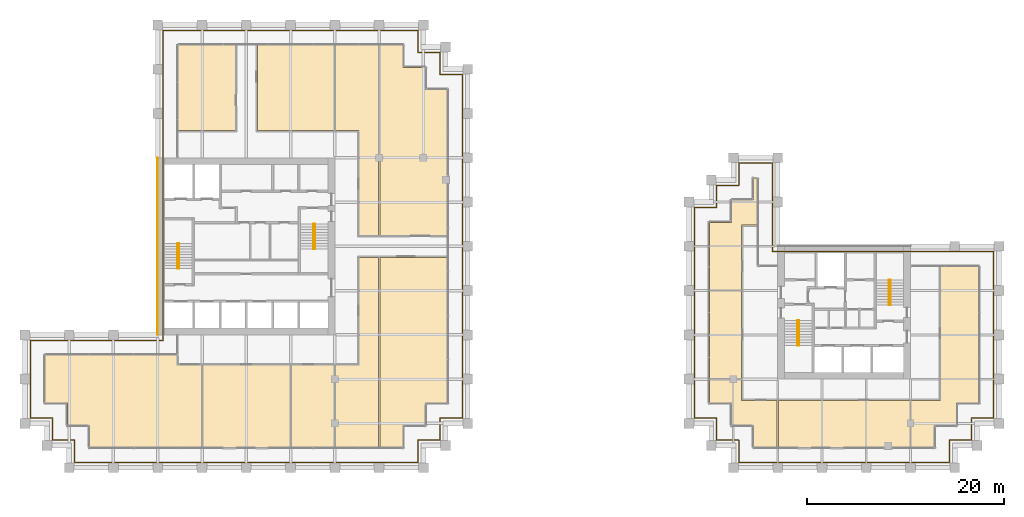
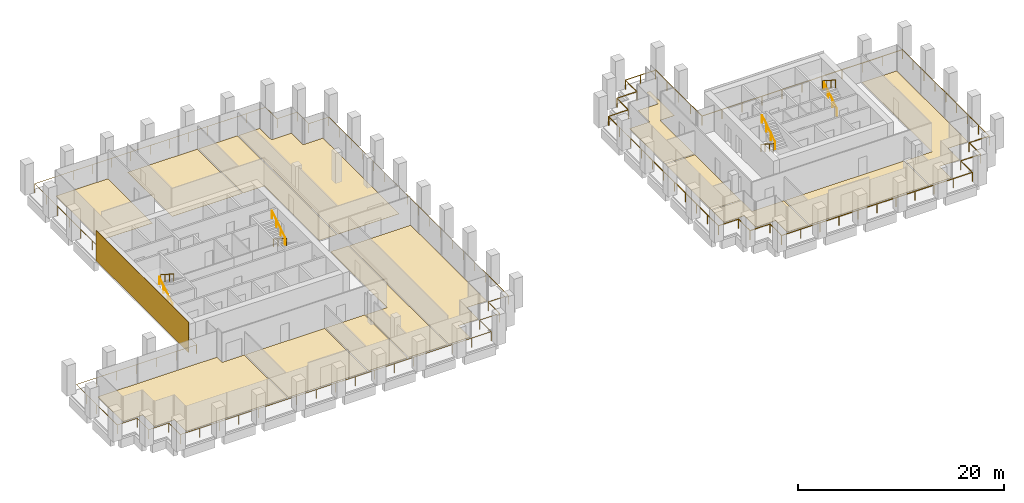
# One storey, part 45 of 46: 15 coverings, 10 railings.
"""IFC4 building model written with IfcOpenShell, lengths in metres."""

from ifc_helpers import new_model, si_unit, direction, frame, origin, origin_2d, place, context, subcontext, project, spatial, polyline, rectangle, circle, outline, extrude, source, transform, mapped, material, layer, layer_set, type_object, element, save


model = new_model("IFC4")

# Units and contexts
model_context = context("Model", 3, precision=1e-05, world=origin(), true_north=direction((0.0, 1.0)))
body_context = subcontext(model_context, "Body", "Model", "MODEL_VIEW")
ifc_project = project(units=[si_unit("LENGTHUNIT", "METRE"), si_unit("AREAUNIT", "SQUARE_METRE"), si_unit("VOLUMEUNIT", "CUBIC_METRE"), si_unit("PLANEANGLEUNIT", "RADIAN"), si_unit("MASSUNIT", "GRAM", prefix="KILO")], contexts=[model_context])

# Site, building, storey
site_placement = place(None, origin())
site = spatial("IfcSite", under=ifc_project, at=site_placement, CompositionType="ELEMENT")
building_placement = place(site_placement, origin())
building = spatial("IfcBuilding", under=site, at=building_placement, Name="Altepetl Exchange Towers", CompositionType="ELEMENT")
storey_placement = place(building_placement, frame((0.0, 0.0, 106.39990234375)))
storey = spatial("IfcBuildingStorey", under=building, at=storey_placement, Name="L26", CompositionType="ELEMENT", Elevation=106.39990234375)

# Coverings
ifc_material_1 = material(Name="Carpet tile")
ifc_layer_1 = layer(ifc_material_1, 0.02001953125)
ifc_layer_set_1 = layer_set([ifc_layer_1], Name="Carpet tile")
covering_type_1 = type_object("IfcCoveringType", Name="Carpet tile floor", PredefinedType="FLOORING", material=ifc_layer_set_1)
covering_1_placement = place(storey_placement, origin())
element("IfcCovering", 1, at=covering_1_placement, inside=storey, type_object=covering_type_1, Name="Training room floor finish A26.01", PredefinedType="FLOORING", context=body_context, shape_type="SweptSolid", body=[
    extrude(outline(polyline([(53.9375, 29.0625), (53.9375, 37.4375), (45.0625, 37.4375), (45.0625, 29.0625), (53.9375, 29.0625)])), origin(), (0.0, 0.0, 1.0), 0.02001953125),
])
covering_2_placement = place(storey_placement, origin())
element("IfcCovering", 2, at=covering_2_placement, inside=storey, type_object=covering_type_1, Name="Open office floor finish A26.03", PredefinedType="FLOORING", context=body_context, shape_type="SweptSolid", body=[
    extrude(outline(polyline([(33.5625, 29.0625), (44.9375, 29.0625), (44.9375, 37.4375), (42.4375, 37.4375), (42.4375, 38.4375), (29.0625, 38.4375), (29.0625, 33.5625), (31.3125, 33.5625), (31.3125, 31.3125), (33.5625, 31.3125), (33.5625, 29.0625)])), origin(), (0.0, 0.0, 1.0), 0.02001953125),
])
covering_3_placement = place(storey_placement, origin())
element("IfcCovering", 3, at=covering_3_placement, inside=storey, type_object=covering_type_1, Name="Research office floor finish A26.05", PredefinedType="FLOORING", context=body_context, shape_type="SweptSolid", body=[
    extrude(outline(polyline([(67.6875, 33.5625), (69.9375, 33.5625), (69.9375, 48.387451171875), (63.0625, 48.387451171875), (63.0625, 29.0625), (65.4375, 29.0625), (65.4375, 31.3125), (67.6875, 31.3125), (67.6875, 33.5625)])), origin(), (0.0, 0.0, 1.0), 0.02001953125),
])
covering_4_placement = place(storey_placement, origin())
element("IfcCovering", 4, at=covering_4_placement, inside=storey, type_object=covering_type_1, Name="Huddle room floor finish A26.07", PredefinedType="FLOORING", context=body_context, shape_type="SweptSolid", body=[
    extrude(outline(polyline([(62.9375, 50.612548828125), (62.9375, 69.9375), (58.5625, 69.9375), (58.5625, 61.262451171875), (60.96240234375, 61.262451171875), (60.96240234375, 50.612548828125), (62.9375, 50.612548828125)])), origin(), (0.0, 0.0, 1.0), 0.02001953125),
])
covering_5_placement = place(storey_placement, origin())
element("IfcCovering", 5, at=covering_5_placement, inside=storey, type_object=covering_type_1, Name="Pantry floor finish A26.08", PredefinedType="FLOORING", context=body_context, shape_type="SweptSolid", body=[
    extrude(outline(polyline([(42.5625, 61.262451171875), (48.387451171875, 61.262451171875), (48.387451171875, 69.9375), (42.5625, 69.9375), (42.5625, 61.262451171875)])), origin(), (0.0, 0.0, 1.0), 0.02001953125),
])
covering_6_placement = place(storey_placement, origin())
element("IfcCovering", 6, at=covering_6_placement, inside=storey, type_object=covering_type_1, Name="Meeting room floor finish A26.09", PredefinedType="FLOORING", context=body_context, shape_type="SweptSolid", body=[
    extrude(outline(polyline([(58.4375, 61.262451171875), (58.4375, 69.9375), (50.612548828125, 69.9375), (50.612548828125, 61.262451171875), (58.4375, 61.262451171875)])), origin(), (0.0, 0.0, 1.0), 0.02001953125),
])
covering_7_placement = place(storey_placement, origin())
element("IfcCovering", 7, at=covering_7_placement, inside=storey, type_object=covering_type_1, Name="Huddle room floor finish B26.01", PredefinedType="FLOORING", context=body_context, shape_type="SweptSolid", body=[
    extrude(outline(polyline([(99.83740234375, 44.9375), (96.5625, 44.9375), (96.5625, 36.0625), (99.83740234375, 36.0625), (99.83740234375, 44.9375)])), origin(), (0.0, 0.0, 1.0), 0.02001953125),
])
covering_8_placement = place(storey_placement, origin())
element("IfcCovering", 8, at=covering_8_placement, inside=storey, type_object=covering_type_1, Name="Research office floor finish B26.04", PredefinedType="FLOORING", context=body_context, shape_type="SweptSolid", body=[
    extrude(outline(polyline([(117.0625, 33.83740234375), (117.0625, 29.0625), (119.4375, 29.0625), (119.4375, 31.3125), (121.6875, 31.3125), (121.6875, 33.5625), (123.9375, 33.5625), (123.9375, 47.4375), (120.0625, 47.4375), (120.0625, 33.83740234375), (117.0625, 33.83740234375)])), origin(), (0.0, 0.0, 1.0), 0.02001953125),
])
covering_9_placement = place(storey_placement, origin())
element("IfcCovering", 9, at=covering_9_placement, inside=storey, type_object=covering_type_1, Name="Interview room floor finish B26.05", PredefinedType="FLOORING", context=body_context, shape_type="SweptSolid", body=[
    extrude(outline(polyline([(101.0625, 54.1875), (98.8125, 54.1875), (98.8125, 51.9375), (96.5625, 51.9375), (96.5625, 45.0625), (99.83740234375, 45.0625), (99.83740234375, 51.66259765625), (101.4375, 51.66259765625), (101.4375, 56.4375), (101.0625, 56.4375), (101.0625, 54.1875)])), origin(), (0.0, 0.0, 1.0), 0.02001953125),
])
ifc_material_2 = material(Name="Cantera stone", Category="masonry")
ifc_layer_2 = layer(ifc_material_2, 0.030029296875)
ifc_layer_set_2 = layer_set([ifc_layer_2], Name="Cantera stone")
covering_type_2 = type_object("IfcCoveringType", Name="Polished stone floor", PredefinedType="FLOORING", material=ifc_layer_set_2)
covering_10_placement = place(storey_placement, origin())
element("IfcCovering", 10, at=covering_10_placement, inside=storey, type_object=covering_type_2, Name="Cafe floor finish A26.06", PredefinedType="FLOORING", context=body_context, shape_type="SweptSolid", body=[
    extrude(outline(polyline([(67.6875, 67.6875), (65.4375, 67.6875), (65.4375, 69.9375), (63.0625, 69.9375), (63.0625, 50.612548828125), (69.9375, 50.612548828125), (69.9375, 65.4375), (67.6875, 65.4375), (67.6875, 67.6875)])), origin(), (0.0, 0.0, 1.0), 0.030029296875),
])
covering_11_placement = place(storey_placement, origin())
element("IfcCovering", 11, at=covering_11_placement, inside=storey, type_object=covering_type_2, Name="Library floor finish B26.03", PredefinedType="FLOORING", context=body_context, shape_type="SweptSolid", body=[
    extrude(outline(polyline([(103.5625, 33.83740234375), (103.5625, 29.0625), (116.9375, 29.0625), (116.9375, 33.83740234375), (103.5625, 33.83740234375)])), origin(), (0.0, 0.0, 1.0), 0.030029296875),
])
ifc_material_3 = material(Name="Calcium sulphate access floor panel")
ifc_layer_3 = layer(ifc_material_3, 0.0400390625)
ifc_layer_set_3 = layer_set([ifc_layer_3], Name="Calcium sulphate access floor panel")
covering_type_3 = type_object("IfcCoveringType", Name="Raised access floor panels", PredefinedType="FLOORING", material=ifc_layer_set_3)
covering_12_placement = place(storey_placement, origin())
element("IfcCovering", 12, at=covering_12_placement, inside=storey, type_object=covering_type_3, Name="Data room floor finish A26.02", PredefinedType="FLOORING", context=body_context, shape_type="SweptSolid", body=[
    extrude(outline(polyline([(58.4375, 29.0625), (58.4375, 37.4375), (54.0625, 37.4375), (54.0625, 29.0625), (58.4375, 29.0625)])), origin(), (0.0, 0.0, 1.0), 0.0400390625),
])
covering_13_placement = place(storey_placement, origin())
element("IfcCovering", 13, at=covering_13_placement, inside=storey, type_object=covering_type_3, Name="Data room floor finish A26.04", PredefinedType="FLOORING", context=body_context, shape_type="SweptSolid", body=[
    extrude(outline(polyline([(62.9375, 29.0625), (62.9375, 48.387451171875), (60.96240234375, 48.387451171875), (60.96240234375, 37.4375), (58.5625, 37.4375), (58.5625, 29.0625), (62.9375, 29.0625)])), origin(), (0.0, 0.0, 1.0), 0.0400390625),
])
covering_14_placement = place(storey_placement, origin())
element("IfcCovering", 14, at=covering_14_placement, inside=storey, type_object=covering_type_3, Name="Data room floor finish B26.02", PredefinedType="FLOORING", context=body_context, shape_type="SweptSolid", body=[
    extrude(outline(polyline([(99.83740234375, 35.9375), (96.5625, 35.9375), (96.5625, 33.5625), (98.8125, 33.5625), (98.8125, 31.3125), (101.0625, 31.3125), (101.0625, 29.0625), (103.4375, 29.0625), (103.4375, 33.83740234375), (99.83740234375, 33.83740234375), (99.83740234375, 35.9375)])), origin(), (0.0, 0.0, 1.0), 0.0400390625),
])
ifc_material_4 = material(Name="Cantera limestone cladding", Category="masonry")
ifc_layer_4 = layer(ifc_material_4, 0.0400390625)
ifc_layer_set_4 = layer_set([ifc_layer_4], Name="Cantera limestone cladding")
covering_type_4 = type_object("IfcCoveringType", Name="Stone panel 40 cantera", PredefinedType="CLADDING", material=ifc_layer_set_4)
covering_15_placement = place(storey_placement, frame((40.47998046875, 49.5, 0.0), z_axis=(0.0, 0.0, 1.0), x_axis=(0.0, -1.0, 0.0)))
element("IfcCovering", 15, at=covering_15_placement, inside=storey, type_object=covering_type_4, Name="Stone cladding panel", PredefinedType="CLADDING", context=body_context, shape_type="SweptSolid", body=[
    extrude(rectangle(XDim=18.0, YDim=0.0400390625, at=origin_2d()), origin(), (0.0, 0.0, 1.0), 3.60009765625),
])

# Railings
ifc_material_5 = material(Name="Steel S355", Category="steel")
railing_type_1 = type_object("IfcRailingType", Name="Guard 1100 steel posts and rail", PredefinedType="GUARDRAIL", material=ifc_material_5)
shared_shape_1 = source(origin(), body_context, "Body", "SweptSolid", [
    extrude(circle(Radius=0.02099609375, at=origin_2d()), origin(), (0.0, 0.0, 1.0), 1.052001953125),
])
railing_1_placement = place(storey_placement, frame((41.050048828125, 39.949951171875, 0.0)))
element("IfcRailing", 16, at=railing_1_placement, inside=storey, type_object=railing_type_1, Name="Loggia guard", PredefinedType="GUARDRAIL", context=body_context, shape_type="SweptSolid", body=[
    extrude(circle(Radius=0.02392578125, at=origin_2d()), frame((0.0, 0.0, 1.076171875), z_axis=(-1.0, 0.0, 0.0), x_axis=(0.0, -1.0, 0.0)), (0.0, 0.0, 1.0), 13.5),
    extrude(circle(Radius=0.02392578125, at=origin_2d()), frame((-13.5, 0.0, 1.076171875), z_axis=(0.0, -1.0, 0.0), x_axis=(1.0, 0.0, 0.0)), (0.0, 0.0, 1.0), 7.89990234375),
    extrude(circle(Radius=0.02392578125, at=origin_2d()), frame((-13.5, -7.89990234375, 1.076171875), z_axis=(1.0, 0.0, 0.0), x_axis=(0.0, 1.0, 0.0)), (0.0, 0.0, 1.0), 2.25),
    extrude(circle(Radius=0.02392578125, at=origin_2d()), frame((-11.25, -7.89990234375, 1.076171875), z_axis=(0.0, -1.0, 0.0), x_axis=(1.0, 0.0, 0.0)), (0.0, 0.0, 1.0), 2.25),
    extrude(circle(Radius=0.02392578125, at=origin_2d()), frame((-11.25, -10.14990234375, 1.076171875), z_axis=(1.0, 0.0, 0.0), x_axis=(0.0, 1.0, 0.0)), (0.0, 0.0, 1.0), 2.25),
    extrude(circle(Radius=0.02392578125, at=origin_2d()), frame((-9.0, -10.14990234375, 1.076171875), z_axis=(0.0, -1.0, 0.0), x_axis=(1.0, 0.0, 0.0)), (0.0, 0.0, 1.0), 2.25),
    extrude(circle(Radius=0.02392578125, at=origin_2d()), frame((-9.0, -12.39990234375, 1.076171875), z_axis=(1.0, 0.0, 0.0), x_axis=(0.0, 1.0, 0.0)), (0.0, 0.0, 1.0), 34.89990234375),
    extrude(circle(Radius=0.02392578125, at=origin_2d()), frame((25.89990234375, -12.39990234375, 1.076171875), z_axis=(0.0, 1.0, 0.0), x_axis=(-1.0, 0.0, 0.0)), (0.0, 0.0, 1.0), 2.25),
    extrude(circle(Radius=0.02392578125, at=origin_2d()), frame((25.89990234375, -10.14990234375, 1.076171875), z_axis=(1.0, 0.0, 0.0), x_axis=(0.0, 1.0, 0.0)), (0.0, 0.0, 1.0), 2.25),
    extrude(circle(Radius=0.02392578125, at=origin_2d()), frame((28.14990234375, -10.14990234375, 1.076171875), z_axis=(0.0, 1.0, 0.0), x_axis=(-1.0, 0.0, 0.0)), (0.0, 0.0, 1.0), 2.25),
    extrude(circle(Radius=0.02392578125, at=origin_2d()), frame((28.14990234375, -7.89990234375, 1.076171875), z_axis=(1.0, 0.0, 0.0), x_axis=(0.0, 1.0, 0.0)), (0.0, 0.0, 1.0), 2.25),
    extrude(circle(Radius=0.02392578125, at=origin_2d()), frame((30.39990234375, -7.89990234375, 1.076171875), z_axis=(0.0, 1.0, 0.0), x_axis=(-1.0, 0.0, 0.0)), (0.0, 0.0, 1.0), 34.89990234375),
    extrude(circle(Radius=0.02392578125, at=origin_2d()), frame((30.39990234375, 27.0, 1.076171875), z_axis=(-1.0, 0.0, 0.0), x_axis=(0.0, -1.0, 0.0)), (0.0, 0.0, 1.0), 2.25),
    extrude(circle(Radius=0.02392578125, at=origin_2d()), frame((28.14990234375, 27.0, 1.076171875), z_axis=(0.0, 1.0, 0.0), x_axis=(-1.0, 0.0, 0.0)), (0.0, 0.0, 1.0), 2.25),
    extrude(circle(Radius=0.02392578125, at=origin_2d()), frame((28.14990234375, 29.25, 1.076171875), z_axis=(-1.0, 0.0, 0.0), x_axis=(0.0, -1.0, 0.0)), (0.0, 0.0, 1.0), 2.25),
    extrude(circle(Radius=0.02392578125, at=origin_2d()), frame((25.89990234375, 29.25, 1.076171875), z_axis=(0.0, 1.0, 0.0), x_axis=(-1.0, 0.0, 0.0)), (0.0, 0.0, 1.0), 2.25),
    extrude(circle(Radius=0.02392578125, at=origin_2d()), frame((25.89990234375, 31.5, 1.076171875), z_axis=(-1.0, 0.0, 0.0), x_axis=(0.0, -1.0, 0.0)), (0.0, 0.0, 1.0), 25.89990234375),
    extrude(circle(Radius=0.02392578125, at=origin_2d()), frame((0.0, 31.5, 1.076171875), z_axis=(0.0, -1.0, 0.0), x_axis=(1.0, 0.0, 0.0)), (0.0, 0.0, 1.0), 31.39990234375),
    mapped(shared_shape_1, transform((0.0, 0.0, 0.0))),
    mapped(shared_shape_1, transform((-2.25, 0.0, 0.0))),
    mapped(shared_shape_1, transform((-4.5, 0.0, 0.0))),
    mapped(shared_shape_1, transform((-6.75, 0.0, 0.0))),
    mapped(shared_shape_1, transform((-9.0, 0.0, 0.0))),
    mapped(shared_shape_1, transform((-11.25, 0.0, 0.0))),
    mapped(shared_shape_1, transform((-13.5, 0.0, 0.0))),
    mapped(shared_shape_1, transform((-13.5, -1.97509765625, 0.0))),
    mapped(shared_shape_1, transform((-13.5, -3.949951171875, 0.0))),
    mapped(shared_shape_1, transform((-13.5, -5.9248046875, 0.0))),
    mapped(shared_shape_1, transform((-13.5, -7.89990234375, 0.0))),
    mapped(shared_shape_1, transform((-11.25, -7.89990234375, 0.0))),
    mapped(shared_shape_1, transform((-11.25, -10.14990234375, 0.0))),
    mapped(shared_shape_1, transform((-9.0, -10.14990234375, 0.0))),
    mapped(shared_shape_1, transform((-9.0, -12.39990234375, 0.0))),
    mapped(shared_shape_1, transform((-6.81884765625, -12.39990234375, 0.0))),
    mapped(shared_shape_1, transform((-4.637451171875, -12.39990234375, 0.0))),
    mapped(shared_shape_1, transform((-2.456298828125, -12.39990234375, 0.0))),
    mapped(shared_shape_1, transform((-0.27490234375, -12.39990234375, 0.0))),
    mapped(shared_shape_1, transform((1.90625, -12.39990234375, 0.0))),
    mapped(shared_shape_1, transform((4.08740234375, -12.39990234375, 0.0))),
    mapped(shared_shape_1, transform((6.268798828125, -12.39990234375, 0.0))),
    mapped(shared_shape_1, transform((8.449951171875, -12.39990234375, 0.0))),
    mapped(shared_shape_1, transform((10.631103515625, -12.39990234375, 0.0))),
    mapped(shared_shape_1, transform((12.8125, -12.39990234375, 0.0))),
    mapped(shared_shape_1, transform((14.99365234375, -12.39990234375, 0.0))),
    mapped(shared_shape_1, transform((17.1748046875, -12.39990234375, 0.0))),
    mapped(shared_shape_1, transform((19.356201171875, -12.39990234375, 0.0))),
    mapped(shared_shape_1, transform((21.537353515625, -12.39990234375, 0.0))),
    mapped(shared_shape_1, transform((23.71875, -12.39990234375, 0.0))),
    mapped(shared_shape_1, transform((25.89990234375, -12.39990234375, 0.0))),
    mapped(shared_shape_1, transform((25.89990234375, -10.14990234375, 0.0))),
    mapped(shared_shape_1, transform((28.14990234375, -10.14990234375, 0.0))),
    mapped(shared_shape_1, transform((28.14990234375, -7.89990234375, 0.0))),
    mapped(shared_shape_1, transform((30.39990234375, -7.89990234375, 0.0))),
    mapped(shared_shape_1, transform((30.39990234375, -5.71875, 0.0))),
    mapped(shared_shape_1, transform((30.39990234375, -3.537353515625, 0.0))),
    mapped(shared_shape_1, transform((30.39990234375, -1.356201171875, 0.0))),
    mapped(shared_shape_1, transform((30.39990234375, 0.8251953125, 0.0))),
    mapped(shared_shape_1, transform((30.39990234375, 3.00634765625, 0.0))),
    mapped(shared_shape_1, transform((30.39990234375, 5.1875, 0.0))),
    mapped(shared_shape_1, transform((30.39990234375, 7.368896484375, 0.0))),
    mapped(shared_shape_1, transform((30.39990234375, 9.550048828125, 0.0))),
    mapped(shared_shape_1, transform((30.39990234375, 11.731201171875, 0.0))),
    mapped(shared_shape_1, transform((30.39990234375, 13.91259765625, 0.0))),
    mapped(shared_shape_1, transform((30.39990234375, 16.09375, 0.0))),
    mapped(shared_shape_1, transform((30.39990234375, 18.27490234375, 0.0))),
    mapped(shared_shape_1, transform((30.39990234375, 20.456298828125, 0.0))),
    mapped(shared_shape_1, transform((30.39990234375, 22.637451171875, 0.0))),
    mapped(shared_shape_1, transform((30.39990234375, 24.81884765625, 0.0))),
    mapped(shared_shape_1, transform((30.39990234375, 27.0, 0.0))),
    mapped(shared_shape_1, transform((28.14990234375, 27.0, 0.0))),
    mapped(shared_shape_1, transform((28.14990234375, 29.25, 0.0))),
    mapped(shared_shape_1, transform((25.89990234375, 29.25, 0.0))),
    mapped(shared_shape_1, transform((25.89990234375, 31.5, 0.0))),
    mapped(shared_shape_1, transform((23.74169921875, 31.5, 0.0))),
    mapped(shared_shape_1, transform((21.583251953125, 31.5, 0.0))),
    mapped(shared_shape_1, transform((19.4248046875, 31.5, 0.0))),
    mapped(shared_shape_1, transform((17.2666015625, 31.5, 0.0))),
    mapped(shared_shape_1, transform((15.1083984375, 31.5, 0.0))),
    mapped(shared_shape_1, transform((12.949951171875, 31.5, 0.0))),
    mapped(shared_shape_1, transform((10.79150390625, 31.5, 0.0))),
    mapped(shared_shape_1, transform((8.63330078125, 31.5, 0.0))),
    mapped(shared_shape_1, transform((6.47509765625, 31.5, 0.0))),
    mapped(shared_shape_1, transform((4.316650390625, 31.5, 0.0))),
    mapped(shared_shape_1, transform((2.158203125, 31.5, 0.0))),
    mapped(shared_shape_1, transform((0.0, 31.5, 0.0))),
    mapped(shared_shape_1, transform((0.0, 29.257080078125, 0.0))),
    mapped(shared_shape_1, transform((0.0, 27.014404296875, 0.0))),
    mapped(shared_shape_1, transform((0.0, 24.771484375, 0.0))),
    mapped(shared_shape_1, transform((0.0, 22.528564453125, 0.0))),
    mapped(shared_shape_1, transform((0.0, 20.28564453125, 0.0))),
    mapped(shared_shape_1, transform((0.0, 18.04296875, 0.0))),
    mapped(shared_shape_1, transform((0.0, 15.800048828125, 0.0))),
    mapped(shared_shape_1, transform((0.0, 13.55712890625, 0.0))),
    mapped(shared_shape_1, transform((0.0, 11.314453125, 0.0))),
    mapped(shared_shape_1, transform((0.0, 9.071533203125, 0.0))),
    mapped(shared_shape_1, transform((0.0, 6.82861328125, 0.0))),
    mapped(shared_shape_1, transform((0.0, 4.585693359375, 0.0))),
    mapped(shared_shape_1, transform((0.0, 2.343017578125, 0.0))),
    mapped(shared_shape_1, transform((0.0, 0.10009765625, 0.0))),
])
railing_2_placement = place(storey_placement, frame((95.050048828125, 53.449951171875, 0.0)))
element("IfcRailing", 17, at=railing_2_placement, inside=storey, type_object=railing_type_1, Name="Loggia guard", PredefinedType="GUARDRAIL", context=body_context, shape_type="SweptSolid", body=[
    extrude(circle(Radius=0.02392578125, at=origin_2d()), frame((0.0, 0.0, 1.076171875), z_axis=(0.0, -1.0, 0.0), x_axis=(1.0, 0.0, 0.0)), (0.0, 0.0, 1.0), 21.39990234375),
    extrude(circle(Radius=0.02392578125, at=origin_2d()), frame((0.0, -21.39990234375, 1.076171875), z_axis=(1.0, 0.0, 0.0), x_axis=(0.0, 1.0, 0.0)), (0.0, 0.0, 1.0), 2.25),
    extrude(circle(Radius=0.02392578125, at=origin_2d()), frame((2.25, -21.39990234375, 1.076171875), z_axis=(0.0, -1.0, 0.0), x_axis=(1.0, 0.0, 0.0)), (0.0, 0.0, 1.0), 2.25),
    extrude(circle(Radius=0.02392578125, at=origin_2d()), frame((2.25, -23.64990234375, 1.076171875), z_axis=(1.0, 0.0, 0.0), x_axis=(0.0, 1.0, 0.0)), (0.0, 0.0, 1.0), 2.25),
    extrude(circle(Radius=0.02392578125, at=origin_2d()), frame((4.5, -23.64990234375, 1.076171875), z_axis=(0.0, -1.0, 0.0), x_axis=(1.0, 0.0, 0.0)), (0.0, 0.0, 1.0), 2.25),
    extrude(circle(Radius=0.02392578125, at=origin_2d()), frame((4.5, -25.89990234375, 1.076171875), z_axis=(1.0, 0.0, 0.0), x_axis=(0.0, 1.0, 0.0)), (0.0, 0.0, 1.0), 21.39990234375),
    extrude(circle(Radius=0.02392578125, at=origin_2d()), frame((25.89990234375, -25.89990234375, 1.076171875), z_axis=(0.0, 1.0, 0.0), x_axis=(-1.0, 0.0, 0.0)), (0.0, 0.0, 1.0), 2.25),
    extrude(circle(Radius=0.02392578125, at=origin_2d()), frame((25.89990234375, -23.64990234375, 1.076171875), z_axis=(1.0, 0.0, 0.0), x_axis=(0.0, 1.0, 0.0)), (0.0, 0.0, 1.0), 2.25),
    extrude(circle(Radius=0.02392578125, at=origin_2d()), frame((28.14990234375, -23.64990234375, 1.076171875), z_axis=(0.0, 1.0, 0.0), x_axis=(-1.0, 0.0, 0.0)), (0.0, 0.0, 1.0), 2.25),
    extrude(circle(Radius=0.02392578125, at=origin_2d()), frame((28.14990234375, -21.39990234375, 1.076171875), z_axis=(1.0, 0.0, 0.0), x_axis=(0.0, 1.0, 0.0)), (0.0, 0.0, 1.0), 2.25),
    extrude(circle(Radius=0.02392578125, at=origin_2d()), frame((30.39990234375, -21.39990234375, 1.076171875), z_axis=(0.0, 1.0, 0.0), x_axis=(-1.0, 0.0, 0.0)), (0.0, 0.0, 1.0), 16.89990234375),
    extrude(circle(Radius=0.02392578125, at=origin_2d()), frame((30.39990234375, -4.5, 1.076171875), z_axis=(-1.0, 0.0, 0.0), x_axis=(0.0, -1.0, 0.0)), (0.0, 0.0, 1.0), 22.5),
    extrude(circle(Radius=0.02392578125, at=origin_2d()), frame((7.89990234375, -4.5, 1.076171875), z_axis=(0.0, 1.0, 0.0), x_axis=(-1.0, 0.0, 0.0)), (0.0, 0.0, 1.0), 9.0),
    extrude(circle(Radius=0.02392578125, at=origin_2d()), frame((7.89990234375, 4.5, 1.076171875), z_axis=(-1.0, 0.0, 0.0), x_axis=(0.0, -1.0, 0.0)), (0.0, 0.0, 1.0), 3.39990234375),
    extrude(circle(Radius=0.02392578125, at=origin_2d()), frame((4.5, 4.5, 1.076171875), z_axis=(0.0, -1.0, 0.0), x_axis=(1.0, 0.0, 0.0)), (0.0, 0.0, 1.0), 2.25),
    extrude(circle(Radius=0.02392578125, at=origin_2d()), frame((4.5, 2.25, 1.076171875), z_axis=(-1.0, 0.0, 0.0), x_axis=(0.0, -1.0, 0.0)), (0.0, 0.0, 1.0), 2.25),
    extrude(circle(Radius=0.02392578125, at=origin_2d()), frame((2.25, 2.25, 1.076171875), z_axis=(0.0, -1.0, 0.0), x_axis=(1.0, 0.0, 0.0)), (0.0, 0.0, 1.0), 2.25),
    extrude(circle(Radius=0.02392578125, at=origin_2d()), frame((2.25, 0.0, 1.076171875), z_axis=(-1.0, 0.0, 0.0), x_axis=(0.0, -1.0, 0.0)), (0.0, 0.0, 1.0), 2.150146484375),
    mapped(shared_shape_1, transform((0.0, 0.0, 0.0))),
    mapped(shared_shape_1, transform((0.0, -2.139892578125, 0.0))),
    mapped(shared_shape_1, transform((0.0, -4.280029296875, 0.0))),
    mapped(shared_shape_1, transform((0.0, -6.419921875, 0.0))),
    mapped(shared_shape_1, transform((0.0, -8.56005859375, 0.0))),
    mapped(shared_shape_1, transform((0.0, -10.699951171875, 0.0))),
    mapped(shared_shape_1, transform((0.0, -12.83984375, 0.0))),
    mapped(shared_shape_1, transform((0.0, -14.97998046875, 0.0))),
    mapped(shared_shape_1, transform((0.0, -17.119873046875, 0.0))),
    mapped(shared_shape_1, transform((0.0, -19.260009765625, 0.0))),
    mapped(shared_shape_1, transform((0.0, -21.39990234375, 0.0))),
    mapped(shared_shape_1, transform((2.25, -21.39990234375, 0.0))),
    mapped(shared_shape_1, transform((2.25, -23.64990234375, 0.0))),
    mapped(shared_shape_1, transform((4.5, -23.64990234375, 0.0))),
    mapped(shared_shape_1, transform((4.5, -25.89990234375, 0.0))),
    mapped(shared_shape_1, transform((6.639892578125, -25.89990234375, 0.0))),
    mapped(shared_shape_1, transform((8.780029296875, -25.89990234375, 0.0))),
    mapped(shared_shape_1, transform((10.919921875, -25.89990234375, 0.0))),
    mapped(shared_shape_1, transform((13.06005859375, -25.89990234375, 0.0))),
    mapped(shared_shape_1, transform((15.199951171875, -25.89990234375, 0.0))),
    mapped(shared_shape_1, transform((17.33984375, -25.89990234375, 0.0))),
    mapped(shared_shape_1, transform((19.47998046875, -25.89990234375, 0.0))),
    mapped(shared_shape_1, transform((21.619873046875, -25.89990234375, 0.0))),
    mapped(shared_shape_1, transform((23.760009765625, -25.89990234375, 0.0))),
    mapped(shared_shape_1, transform((25.89990234375, -25.89990234375, 0.0))),
    mapped(shared_shape_1, transform((25.89990234375, -23.64990234375, 0.0))),
    mapped(shared_shape_1, transform((28.14990234375, -23.64990234375, 0.0))),
    mapped(shared_shape_1, transform((28.14990234375, -21.39990234375, 0.0))),
    mapped(shared_shape_1, transform((30.39990234375, -21.39990234375, 0.0))),
    mapped(shared_shape_1, transform((30.39990234375, -19.287353515625, 0.0))),
    mapped(shared_shape_1, transform((30.39990234375, -17.1748046875, 0.0))),
    mapped(shared_shape_1, transform((30.39990234375, -15.0625, 0.0))),
    mapped(shared_shape_1, transform((30.39990234375, -12.949951171875, 0.0))),
    mapped(shared_shape_1, transform((30.39990234375, -10.83740234375, 0.0))),
    mapped(shared_shape_1, transform((30.39990234375, -8.72509765625, 0.0))),
    mapped(shared_shape_1, transform((30.39990234375, -6.612548828125, 0.0))),
    mapped(shared_shape_1, transform((30.39990234375, -4.5, 0.0))),
    mapped(shared_shape_1, transform((28.14990234375, -4.5, 0.0))),
    mapped(shared_shape_1, transform((25.89990234375, -4.5, 0.0))),
    mapped(shared_shape_1, transform((23.64990234375, -4.5, 0.0))),
    mapped(shared_shape_1, transform((21.39990234375, -4.5, 0.0))),
    mapped(shared_shape_1, transform((19.14990234375, -4.5, 0.0))),
    mapped(shared_shape_1, transform((16.89990234375, -4.5, 0.0))),
    mapped(shared_shape_1, transform((14.64990234375, -4.5, 0.0))),
    mapped(shared_shape_1, transform((12.39990234375, -4.5, 0.0))),
    mapped(shared_shape_1, transform((10.14990234375, -4.5, 0.0))),
    mapped(shared_shape_1, transform((7.89990234375, -4.5, 0.0))),
    mapped(shared_shape_1, transform((7.89990234375, -2.25, 0.0))),
    mapped(shared_shape_1, transform((7.89990234375, 0.0, 0.0))),
    mapped(shared_shape_1, transform((7.89990234375, 2.25, 0.0))),
    mapped(shared_shape_1, transform((7.89990234375, 4.5, 0.0))),
    mapped(shared_shape_1, transform((6.199951171875, 4.5, 0.0))),
    mapped(shared_shape_1, transform((4.5, 4.5, 0.0))),
    mapped(shared_shape_1, transform((4.5, 2.25, 0.0))),
    mapped(shared_shape_1, transform((2.25, 2.25, 0.0))),
    mapped(shared_shape_1, transform((2.25, 0.0, 0.0))),
    mapped(shared_shape_1, transform((0.099853515625, 0.0, 0.0))),
])
ifc_material_6 = material(Name="Steel", Category="steel")
railing_type_2 = type_object("IfcRailingType", Name="Stair handrail 50 steel tube", PredefinedType="HANDRAIL", material=ifc_material_6)
shared_shape_2 = source(origin(), body_context, "Body", "SweptSolid", [
    extrude(circle(Radius=0.02099609375, at=origin_2d()), origin(), (0.0, 0.0, 1.0), 0.851806640625),
])
railing_3_placement = place(storey_placement, frame((42.52001953125, 47.25, 0.18017578125)))
element("IfcRailing", 18, at=railing_3_placement, inside=storey, type_object=railing_type_2, Name="Stair handrail", PredefinedType="HANDRAIL", context=body_context, shape_type="SweptSolid", body=[
    extrude(circle(Radius=0.02392578125, at=origin_2d()), frame((0.0, 0.0, 0.8759765625), z_axis=(0.0, 0.841199657755, 0.540724639528), x_axis=(-1.0, 0.0, 0.0)), (0.0, 0.0, 1.0), 2.995849609375),
    mapped(shared_shape_2, transform((0.0, 0.0, 0.0))),
    mapped(shared_shape_2, transform((0.0, 0.840087890625, 0.5400390625))),
    mapped(shared_shape_2, transform((0.0, 1.679931640625, 1.079833984375))),
    mapped(shared_shape_2, transform((0.0, 2.52001953125, 1.619873046875))),
])
railing_4_placement = place(storey_placement, frame((42.679931640625, 49.77001953125, 1.97998046875)))
element("IfcRailing", 19, at=railing_4_placement, inside=storey, type_object=railing_type_2, Name="Stair handrail", PredefinedType="HANDRAIL", context=body_context, shape_type="SweptSolid", body=[
    extrude(circle(Radius=0.02392578125, at=origin_2d()), frame((0.0, 0.0, 0.8759765625), z_axis=(0.0, -0.841162588446, 0.540782303519), x_axis=(1.0, 0.0, 0.0)), (0.0, 0.0, 1.0), 2.995849609375),
    mapped(shared_shape_2, transform((0.0, 0.0, 0.0))),
    mapped(shared_shape_2, transform((0.0, -0.840087890625, 0.5400390625))),
    mapped(shared_shape_2, transform((0.0, -1.679931640625, 1.080078125))),
    mapped(shared_shape_2, transform((0.0, -2.52001953125, 1.6201171875))),
])
railing_5_placement = place(storey_placement, frame((56.47998046875, 51.75, 0.18017578125)))
element("IfcRailing", 20, at=railing_5_placement, inside=storey, type_object=railing_type_2, Name="Stair handrail", PredefinedType="HANDRAIL", context=body_context, shape_type="SweptSolid", body=[
    extrude(circle(Radius=0.02392578125, at=origin_2d()), frame((0.0, 0.0, 0.8759765625), z_axis=(0.0, -0.841199657755, 0.540724639528), x_axis=(1.0, 0.0, 0.0)), (0.0, 0.0, 1.0), 2.995849609375),
    mapped(shared_shape_2, transform((0.0, 0.0, 0.0))),
    mapped(shared_shape_2, transform((0.0, -0.840087890625, 0.5400390625))),
    mapped(shared_shape_2, transform((0.0, -1.679931640625, 1.079833984375))),
    mapped(shared_shape_2, transform((0.0, -2.52001953125, 1.619873046875))),
])
railing_6_placement = place(storey_placement, frame((56.320068359375, 49.22998046875, 1.97998046875)))
element("IfcRailing", 21, at=railing_6_placement, inside=storey, type_object=railing_type_2, Name="Stair handrail", PredefinedType="HANDRAIL", context=body_context, shape_type="SweptSolid", body=[
    extrude(circle(Radius=0.02392578125, at=origin_2d()), frame((0.0, 0.0, 0.8759765625), z_axis=(0.0, 0.841162588446, 0.540782303519), x_axis=(-1.0, 0.0, 0.0)), (0.0, 0.0, 1.0), 2.995849609375),
    mapped(shared_shape_2, transform((0.0, 0.0, 0.0))),
    mapped(shared_shape_2, transform((0.0, 0.840087890625, 0.5400390625))),
    mapped(shared_shape_2, transform((0.0, 1.679931640625, 1.080078125))),
    mapped(shared_shape_2, transform((0.0, 2.52001953125, 1.6201171875))),
])
railing_7_placement = place(storey_placement, frame((105.52001953125, 41.949951171875, 0.18017578125)))
element("IfcRailing", 22, at=railing_7_placement, inside=storey, type_object=railing_type_2, Name="Stair handrail", PredefinedType="HANDRAIL", context=body_context, shape_type="SweptSolid", body=[
    extrude(circle(Radius=0.02392578125, at=origin_2d()), frame((0.0, 0.0, 0.8759765625), z_axis=(0.0, -0.841199657755, 0.540724639528), x_axis=(1.0, 0.0, 0.0)), (0.0, 0.0, 1.0), 2.995849609375),
    mapped(shared_shape_2, transform((0.0, 0.0, 0.0))),
    mapped(shared_shape_2, transform((0.0, -0.840087890625, 0.5400390625))),
    mapped(shared_shape_2, transform((0.0, -1.679931640625, 1.079833984375))),
    mapped(shared_shape_2, transform((0.0, -2.52001953125, 1.619873046875))),
])
railing_8_placement = place(storey_placement, frame((105.679931640625, 39.429931640625, 1.97998046875)))
element("IfcRailing", 23, at=railing_8_placement, inside=storey, type_object=railing_type_2, Name="Stair handrail", PredefinedType="HANDRAIL", context=body_context, shape_type="SweptSolid", body=[
    extrude(circle(Radius=0.02392578125, at=origin_2d()), frame((0.0, 0.0, 0.8759765625), z_axis=(0.0, 0.841162588446, 0.540782303519), x_axis=(-1.0, 0.0, 0.0)), (0.0, 0.0, 1.0), 2.995849609375),
    mapped(shared_shape_2, transform((0.0, 0.0, 0.0))),
    mapped(shared_shape_2, transform((0.0, 0.840087890625, 0.5400390625))),
    mapped(shared_shape_2, transform((0.0, 1.679931640625, 1.080078125))),
    mapped(shared_shape_2, transform((0.0, 2.52001953125, 1.6201171875))),
])
railing_9_placement = place(storey_placement, frame((114.97998046875, 43.550048828125, 0.18017578125)))
element("IfcRailing", 24, at=railing_9_placement, inside=storey, type_object=railing_type_2, Name="Stair handrail", PredefinedType="HANDRAIL", context=body_context, shape_type="SweptSolid", body=[
    extrude(circle(Radius=0.02392578125, at=origin_2d()), frame((0.0, 0.0, 0.8759765625), z_axis=(0.0, 0.841199657755, 0.540724639528), x_axis=(-1.0, 0.0, 0.0)), (0.0, 0.0, 1.0), 2.995849609375),
    mapped(shared_shape_2, transform((0.0, 0.0, 0.0))),
    mapped(shared_shape_2, transform((0.0, 0.840087890625, 0.5400390625))),
    mapped(shared_shape_2, transform((0.0, 1.679931640625, 1.079833984375))),
    mapped(shared_shape_2, transform((0.0, 2.52001953125, 1.619873046875))),
])
railing_10_placement = place(storey_placement, frame((114.820068359375, 46.070068359375, 1.97998046875)))
element("IfcRailing", 25, at=railing_10_placement, inside=storey, type_object=railing_type_2, Name="Stair handrail", PredefinedType="HANDRAIL", context=body_context, shape_type="SweptSolid", body=[
    extrude(circle(Radius=0.02392578125, at=origin_2d()), frame((0.0, 0.0, 0.8759765625), z_axis=(0.0, -0.841162588446, 0.540782303519), x_axis=(1.0, 0.0, 0.0)), (0.0, 0.0, 1.0), 2.995849609375),
    mapped(shared_shape_2, transform((0.0, 0.0, 0.0))),
    mapped(shared_shape_2, transform((0.0, -0.840087890625, 0.5400390625))),
    mapped(shared_shape_2, transform((0.0, -1.679931640625, 1.080078125))),
    mapped(shared_shape_2, transform((0.0, -2.52001953125, 1.6201171875))),
])

save(model, "model.ifc")
